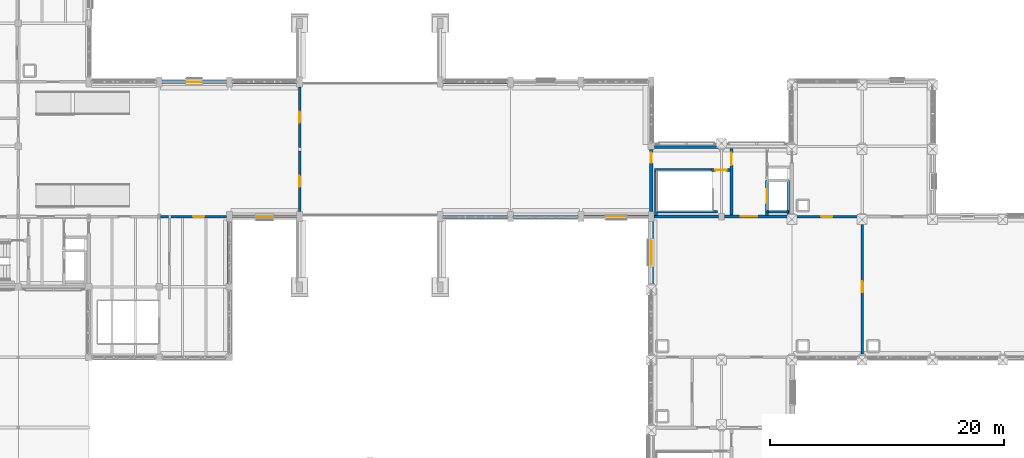
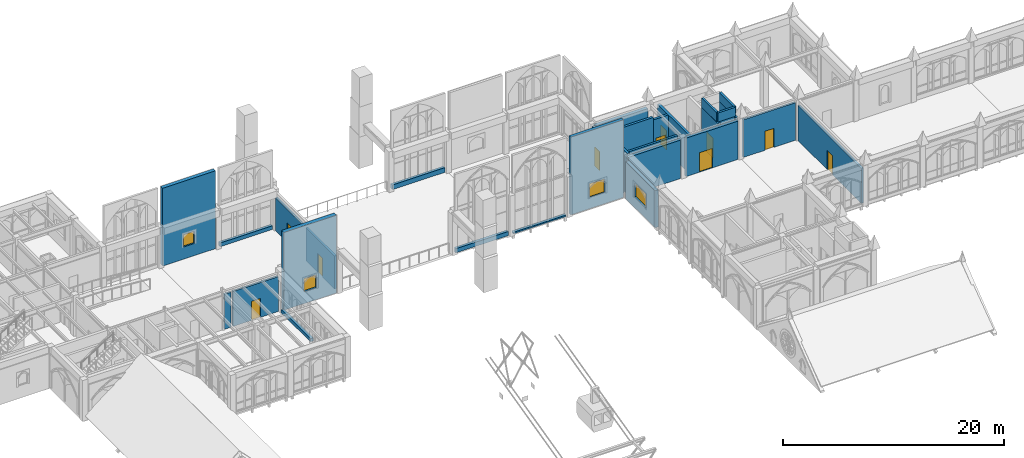
# One storey, part 79 of 108: 30 walls, 10 doors, 4 windows, 14 openings.
"""IFC4 building model written with IfcOpenShell, lengths in metres."""

from ifc_helpers import new_model, si_unit, direction, frame, frame_2d, origin, place, context, subcontext, project, spatial, rectangle, extrude, material, layer, layer_set, type_object, element, fill, save


model = new_model("IFC4")

# Units and contexts
model_context = context("Model", 3, precision=1e-05, world=origin(), true_north=direction((0.0, 1.0)))
body_context = subcontext(model_context, "Body", "Model", "MODEL_VIEW")
ifc_project = project(units=[si_unit("LENGTHUNIT", "METRE"), si_unit("AREAUNIT", "SQUARE_METRE"), si_unit("VOLUMEUNIT", "CUBIC_METRE"), si_unit("PLANEANGLEUNIT", "RADIAN"), si_unit("MASSUNIT", "GRAM", prefix="KILO")], contexts=[model_context])

# Site, building, storey
site_placement = place(None, origin())
site = spatial("IfcSite", under=ifc_project, at=site_placement, CompositionType="ELEMENT")
building_placement = place(site_placement, origin())
building = spatial("IfcBuilding", under=site, at=building_placement, Name="Cumevento Cable Car Station", CompositionType="ELEMENT")
storey_placement = place(building_placement, frame((0.0, 0.0, 13.5)))
storey = spatial("IfcBuildingStorey", under=building, at=storey_placement, Name="L04", CompositionType="ELEMENT", Elevation=13.5)

# Walls
ifc_material_1 = material(Name="Gnaisse Facoidal Stone Ashlar 85 MPa", Category="masonry")
ifc_layer_1 = layer(ifc_material_1, 0.294921875)
ifc_layer_set_1 = layer_set([ifc_layer_1], Name="Gnaisse Facoidal Stone Ashlar 85 MPa")
wall_type_1 = type_object("IfcWallType", Name="Exterior Envelope Wall EW-295 295", PredefinedType="SOLIDWALL", material=ifc_layer_set_1)
wall_1_placement = place(storey_placement, frame((82.0, 44.574951171875, 0.0), z_axis=(0.0, 0.0, 1.0), x_axis=(0.0, -1.0, 0.0)))
element("IfcWall", 1, at=wall_1_placement, inside=storey, type_object=wall_type_1, Name="Exterior Sill Curb Wall EW-295 L04 #304", PredefinedType="SOLIDWALL", context=body_context, shape_type="SweptSolid", body=[
    extrude(rectangle(XDim=5.300048828125, YDim=0.294921875, at=frame_2d((2.64990234375, 0.0))), origin(), (0.0, 0.0, 1.0), 0.360107421875),
])
wall_2_placement = place(storey_placement, frame((82.25, 56.5, 0.0), z_axis=(0.0, 0.0, 1.0), x_axis=(1.0, 0.0, 0.0)))
element("IfcWall", 2, at=wall_2_placement, inside=storey, type_object=wall_type_1, Name="Exterior Sill Curb Wall EW-295 L04 #335", PredefinedType="SOLIDWALL", context=body_context, shape_type="SweptSolid", body=[
    extrude(rectangle(XDim=5.5, YDim=0.294921875, at=frame_2d((2.75, 0.0))), origin(), (0.0, 0.0, 1.0), 0.409912109375),
])
wall_3_placement = place(storey_placement, frame((105.75, 45.0, 0.0), z_axis=(0.0, 0.0, 1.0), x_axis=(-1.0, 0.0, 0.0)))
element("IfcWall", 3, at=wall_3_placement, inside=storey, type_object=wall_type_1, Name="Exterior Sill Curb Wall EW-295 L04 #336", PredefinedType="SOLIDWALL", context=body_context, shape_type="SweptSolid", body=[
    extrude(rectangle(XDim=5.5, YDim=0.294921875, at=frame_2d((2.75, 0.0))), origin(), (0.0, 0.0, 1.0), 0.4599609375),
])
wall_4_placement = place(storey_placement, frame((100.25, 56.5, 0.0), z_axis=(0.0, 0.0, 1.0), x_axis=(1.0, 0.0, 0.0)))
element("IfcWall", 4, at=wall_4_placement, inside=storey, type_object=wall_type_1, Name="Exterior Sill Curb Wall EW-295 L04 #337", PredefinedType="SOLIDWALL", context=body_context, shape_type="SweptSolid", body=[
    extrude(rectangle(XDim=5.5, YDim=0.294921875, at=frame_2d((2.75, 0.0))), origin(), (0.0, 0.0, 1.0), 0.52001953125),
])
wall_5_placement = place(storey_placement, frame((111.75, 45.0, 0.0), z_axis=(0.0, 0.0, 1.0), x_axis=(-1.0, 0.0, 0.0)))
element("IfcWall", 5, at=wall_5_placement, inside=storey, type_object=wall_type_1, Name="Exterior Sill Curb Wall EW-295 L04 #338", PredefinedType="SOLIDWALL", context=body_context, shape_type="SweptSolid", body=[
    extrude(rectangle(XDim=5.5, YDim=0.294921875, at=frame_2d((2.75, 0.0))), origin(), (0.0, 0.0, 1.0), 0.159912109375),
])

# Wall, opening, window
wall_6_placement = place(storey_placement, frame((117.75, 45.0, 0.0), z_axis=(0.0, 0.0, 1.0), x_axis=(-1.0, 0.0, 0.0)))
wall_6 = element("IfcWall", 6, at=wall_6_placement, inside=storey, type_object=wall_type_1, Name="Exterior Wall EW-295 L04 #340", PredefinedType="SOLIDWALL", context=body_context, shape_type="SweptSolid", body=[
    extrude(rectangle(XDim=5.5, YDim=0.294921875, at=frame_2d((2.75, 0.0))), origin(), (0.0, 0.0, 1.0), 8.593017578125),
])
opening_1_placement = place(wall_6_placement, frame((1.949951171875, 0.0, 1.25)))
opening_1 = element("IfcOpeningElement", 7, at=opening_1_placement, cuts=wall_6, Name="Opening WN-L04-093", PredefinedType="OPENING", context=body_context, shape_type="SweptSolid", body=[
    extrude(rectangle(XDim=1.60009765625, YDim=1.5, at=frame_2d((0.800048828125, 0.75))), frame((0.0, 0.157470703125, 0.0), z_axis=(0.0, -1.0, 0.0), x_axis=(1.0, 0.0, 0.0)), (0.0, 0.0, 1.0), 0.31494140625),
])
ifc_material_2 = material(Name="Anodised Bronze Aluminium & Laminated Solar Glass", Category="aluminium")
window_type_1 = type_object("IfcWindowType", Name="Lancet Window WN-21 1600x1500", PartitioningType="DOUBLE_PANEL_VERTICAL", PredefinedType="WINDOW", material=ifc_material_2)
window_1_placement = place(opening_1_placement, origin())
window_1 = element("IfcWindow", 8, at=window_1_placement, inside=storey, type_object=window_type_1, Name="Lancet Window WN-L04-093 (WN-21)", OverallHeight=1.5, OverallWidth=1.60009765625, PartitioningType="SINGLE_PANEL", PredefinedType="WINDOW", context=body_context, shape_type="SweptSolid", body=[
    extrude(rectangle(XDim=1.60009765625, YDim=1.5, at=frame_2d((0.800048828125, 0.75))), frame((0.0, 0.030029296875, 0.0), z_axis=(0.0, -1.0, 0.0), x_axis=(1.0, 0.0, 0.0)), (0.0, 0.0, 1.0), 0.06005859375),
])
fill(opening_1, window_1)

# Wall
ifc_material_3 = material(Name="Concrete C40/50", Category="concrete")
ifc_layer_2 = layer(ifc_material_3, 0.35498046875)
ifc_layer_set_2 = layer_set([ifc_layer_2], Name="Concrete C40/50")
wall_type_2 = type_object("IfcWallType", Name="Exterior Envelope Wall EW-355 355", PredefinedType="SOLIDWALL", material=ifc_layer_set_2)
wall_7_placement = place(storey_placement, frame((118.27490234375, 51.0, 0.0), z_axis=(0.0, 0.0, 1.0), x_axis=(1.0, 0.0, 0.0)))
element("IfcWall", 9, at=wall_7_placement, inside=storey, type_object=wall_type_2, Name="Exterior Wall EW-355 L04 #370", PredefinedType="SOLIDWALL", context=body_context, shape_type="SweptSolid", body=[
    extrude(rectangle(XDim=5.4501953125, YDim=0.35498046875, at=frame_2d((2.72509765625, 0.0))), origin(), (0.0, 0.0, 1.0), 4.093017578125),
])

# Wall, opening, window
ifc_material_4 = material(Name="Concrete C40/50", Category="concrete")
ifc_layer_3 = layer(ifc_material_4, 0.3701171875)
ifc_layer_set_3 = layer_set([ifc_layer_3], Name="Concrete C40/50")
wall_type_3 = type_object("IfcWallType", Name="Exterior Envelope Wall EW-370 370", PredefinedType="SOLIDWALL", material=ifc_layer_set_3)
wall_8_placement = place(storey_placement, frame((118.0, 39.27490234375, 0.0), z_axis=(0.0, 0.0, 1.0), x_axis=(0.0, 1.0, 0.0)))
wall_8 = element("IfcWall", 10, at=wall_8_placement, inside=storey, type_object=wall_type_3, Name="Exterior Wall EW-370 L04 #358", PredefinedType="SOLIDWALL", context=body_context, shape_type="SweptSolid", body=[
    extrude(rectangle(XDim=5.300048828125, YDim=0.3701171875, at=frame_2d((2.64990234375, 0.0))), origin(), (0.0, 0.0, 1.0), 4.093017578125),
])
opening_2_placement = place(wall_8_placement, frame((1.625, 0.0, 1.199951171875)))
opening_2 = element("IfcOpeningElement", 11, at=opening_2_placement, cuts=wall_8, Name="Opening WN-L04-096", PredefinedType="OPENING", context=body_context, shape_type="SweptSolid", body=[
    extrude(rectangle(XDim=2.050048828125, YDim=1.550048828125, at=frame_2d((1.02490234375, 0.77490234375))), frame((0.0, 0.195068359375, 0.0), z_axis=(0.0, -1.0, 0.0), x_axis=(1.0, 0.0, 0.0)), (0.0, 0.0, 1.0), 0.39013671875),
])
ifc_material_5 = material(Name="Anodised Bronze Aluminium & Laminated Solar Glass", Category="aluminium")
window_type_2 = type_object("IfcWindowType", Name="Lancet Window WN-24 2050x1550", PartitioningType="DOUBLE_PANEL_VERTICAL", PredefinedType="WINDOW", material=ifc_material_5)
window_2_placement = place(opening_2_placement, origin())
window_2 = element("IfcWindow", 12, at=window_2_placement, inside=storey, type_object=window_type_2, Name="Lancet Window WN-L04-096 (WN-24)", OverallHeight=1.550048828125, OverallWidth=2.050048828125, PartitioningType="SINGLE_PANEL", PredefinedType="WINDOW", context=body_context, shape_type="SweptSolid", body=[
    extrude(rectangle(XDim=2.050048828125, YDim=1.550048828125, at=frame_2d((1.02490234375, 0.77490234375))), frame((0.0, 0.030029296875, 0.0), z_axis=(0.0, -1.0, 0.0), x_axis=(1.0, 0.0, 0.0)), (0.0, 0.0, 1.0), 0.06005859375),
])
fill(opening_2, window_2)

ifc_material_6 = material(Name="Gnaisse Facoidal Stone Ashlar 85 MPa", Category="masonry")
ifc_layer_4 = layer(ifc_material_6, 0.385009765625)
ifc_layer_set_4 = layer_set([ifc_layer_4], Name="Gnaisse Facoidal Stone Ashlar 85 MPa")
wall_type_4 = type_object("IfcWallType", Name="Exterior Envelope Wall EW-385 385", PredefinedType="SOLIDWALL", material=ifc_layer_set_4)
wall_9_placement = place(storey_placement, frame((76.25, 56.5, 0.0), z_axis=(0.0, 0.0, 1.0), x_axis=(1.0, 0.0, 0.0)))
wall_9 = element("IfcWall", 13, at=wall_9_placement, inside=storey, type_object=wall_type_4, Name="Exterior Wall EW-385 L04 #333", PredefinedType="SOLIDWALL", context=body_context, shape_type="SweptSolid", body=[
    extrude(rectangle(XDim=5.5, YDim=0.385009765625, at=frame_2d((2.75, 0.0))), origin(), (0.0, 0.0, 1.0), 8.593017578125),
])
opening_3_placement = place(wall_9_placement, frame((2.175048828125, 0.0, 1.35009765625)))
opening_3 = element("IfcOpeningElement", 14, at=opening_3_placement, cuts=wall_9, Name="Opening WN-L04-090", PredefinedType="OPENING", context=body_context, shape_type="SweptSolid", body=[
    extrude(rectangle(XDim=1.14990234375, YDim=1.35009765625, at=frame_2d((0.574951171875, 0.675048828125))), frame((0.0, 0.202392578125, 0.0), z_axis=(0.0, -1.0, 0.0), x_axis=(1.0, 0.0, 0.0)), (0.0, 0.0, 1.0), 0.405029296875),
])
ifc_material_7 = material(Name="Anodised Bronze Aluminium & Laminated Solar Glass", Category="aluminium")
window_type_3 = type_object("IfcWindowType", Name="Lancet Window WN-18 1150x1350", PartitioningType="SINGLE_PANEL", PredefinedType="WINDOW", material=ifc_material_7)
window_3_placement = place(opening_3_placement, origin())
window_3 = element("IfcWindow", 15, at=window_3_placement, inside=storey, type_object=window_type_3, Name="Lancet Window WN-L04-090 (WN-18)", OverallHeight=1.35009765625, OverallWidth=1.14990234375, PartitioningType="SINGLE_PANEL", PredefinedType="WINDOW", context=body_context, shape_type="SweptSolid", body=[
    extrude(rectangle(XDim=1.14990234375, YDim=1.35009765625, at=frame_2d((0.574951171875, 0.675048828125))), frame((0.0, 0.030029296875, 0.0), z_axis=(0.0, -1.0, 0.0), x_axis=(1.0, 0.0, 0.0)), (0.0, 0.0, 1.0), 0.06005859375),
])
fill(opening_3, window_3)

ifc_material_8 = material(Name="Concrete C40/50", Category="concrete")
ifc_layer_5 = layer(ifc_material_8, 0.39990234375)
ifc_layer_set_5 = layer_set([ifc_layer_5], Name="Concrete C40/50")
wall_type_5 = type_object("IfcWallType", Name="Exterior Envelope Wall EW-400 400", PredefinedType="SOLIDWALL", material=ifc_layer_set_5)
wall_10_placement = place(storey_placement, frame((87.75, 45.0, 0.0), z_axis=(0.0, 0.0, 1.0), x_axis=(-1.0, 0.0, 0.0)))
wall_10 = element("IfcWall", 16, at=wall_10_placement, inside=storey, type_object=wall_type_5, Name="Exterior Wall EW-400 L04 #334", PredefinedType="SOLIDWALL", context=body_context, shape_type="SweptSolid", body=[
    extrude(rectangle(XDim=5.5, YDim=0.39990234375, at=frame_2d((2.75, 0.0))), origin(), (0.0, 0.0, 1.0), 8.593017578125),
])
opening_4_placement = place(wall_10_placement, frame((2.10009765625, 0.0, 1.300048828125)))
opening_4 = element("IfcOpeningElement", 17, at=opening_4_placement, cuts=wall_10, Name="Opening WN-L04-091", PredefinedType="OPENING", context=body_context, shape_type="SweptSolid", body=[
    extrude(rectangle(XDim=1.300048828125, YDim=1.449951171875, at=frame_2d((0.64990234375, 0.72509765625))), frame((0.0, 0.2099609375, 0.0), z_axis=(0.0, -1.0, 0.0), x_axis=(1.0, 0.0, 0.0)), (0.0, 0.0, 1.0), 0.419921875),
])
ifc_material_9 = material(Name="Anodised Bronze Aluminium & Laminated Solar Glass", Category="aluminium")
window_type_4 = type_object("IfcWindowType", Name="Lancet Window WN-19 1300x1450", PartitioningType="SINGLE_PANEL", PredefinedType="WINDOW", material=ifc_material_9)
window_4_placement = place(opening_4_placement, origin())
window_4 = element("IfcWindow", 18, at=window_4_placement, inside=storey, type_object=window_type_4, Name="Lancet Window WN-L04-091 (WN-19)", OverallHeight=1.449951171875, OverallWidth=1.300048828125, PartitioningType="SINGLE_PANEL", PredefinedType="WINDOW", context=body_context, shape_type="SweptSolid", body=[
    extrude(rectangle(XDim=1.300048828125, YDim=1.449951171875, at=frame_2d((0.64990234375, 0.72509765625))), frame((0.0, 0.030029296875, 0.0), z_axis=(0.0, -1.0, 0.0), x_axis=(1.0, 0.0, 0.0)), (0.0, 0.0, 1.0), 0.06005859375),
])
fill(opening_4, window_4)

# Wall, opening, door
ifc_material_10 = material(Name="Concrete C40/50", Category="concrete")
ifc_layer_6 = layer(ifc_material_10, 0.219970703125)
ifc_layer_set_6 = layer_set([ifc_layer_6], Name="Concrete C40/50")
wall_type_6 = type_object("IfcWallType", Name="Interior Partition FW-220 220", PredefinedType="SOLIDWALL", material=ifc_layer_set_6)
wall_11_placement = place(storey_placement, frame((77.0, 45.0, 0.0), z_axis=(0.0, 0.0, 1.0), x_axis=(1.0, 0.0, 0.0)))
wall_11 = element("IfcWall", 19, at=wall_11_placement, inside=storey, type_object=wall_type_6, Name="Interior Wall FW-220 L04 #689", PredefinedType="SOLIDWALL", context=body_context, shape_type="SweptSolid", body=[
    extrude(rectangle(XDim=4.748046875, YDim=0.219970703125, at=frame_2d((2.3740234375, 0.0))), origin(), (0.0, 0.0, 1.0), 3.85009765625),
])
opening_5_placement = place(wall_11_placement, frame((1.904052734375, 0.0, 0.0)))
opening_5 = element("IfcOpeningElement", 20, at=opening_5_placement, cuts=wall_11, Name="Opening DR-L04-276", PredefinedType="OPENING", context=body_context, shape_type="SweptSolid", body=[
    extrude(rectangle(XDim=0.93994140625, YDim=2.10009765625, at=frame_2d((0.469970703125, 1.050048828125))), frame((0.0, 0.119873046875, 0.0), z_axis=(0.0, -1.0, 0.0), x_axis=(1.0, 0.0, 0.0)), (0.0, 0.0, 1.0), 0.239990234375),
])
ifc_material_11 = material(Name="Galvanised Painted Steel Fire Door", Category="steel")
door_type_1 = type_object("IfcDoorType", Name="Interior Door FD-08 940x2100", OperationType="NOTDEFINED", PredefinedType="DOOR", material=ifc_material_11)
door_1_placement = place(opening_5_placement, origin())
door_1 = element("IfcDoor", 21, at=door_1_placement, inside=storey, type_object=door_type_1, Name="Interior Door DR-L04-276 (FD-08)", OperationType="SINGLE_SWING_RIGHT", OverallHeight=2.10009765625, OverallWidth=0.93994140625, PredefinedType="DOOR", context=body_context, shape_type="SweptSolid", body=[
    extrude(rectangle(XDim=0.93994140625, YDim=2.10009765625, at=frame_2d((0.469970703125, 1.050048828125))), frame((0.0, 0.02490234375, 0.0), z_axis=(0.0, -1.0, 0.0), x_axis=(1.0, 0.0, 0.0)), (0.0, 0.0, 1.0), 0.050048828125),
])
fill(opening_5, door_1)

# Wall
wall_12_placement = place(storey_placement, frame((76.130615234375, 45.0, 0.0), z_axis=(0.0, 0.0, 1.0), x_axis=(1.0, 0.0, 0.0)))
element("IfcWall", 22, at=wall_12_placement, inside=storey, type_object=wall_type_6, Name="Interior Wall FW-220 L04 #691", PredefinedType="SOLIDWALL", context=body_context, shape_type="SweptSolid", body=[
    extrude(rectangle(XDim=0.66943359375, YDim=0.219970703125, at=frame_2d((0.334716796875, 0.0))), origin(), (0.0, 0.0, 1.0), 3.85009765625),
])

# Wall, opening, door
wall_13_placement = place(storey_placement, frame((88.0, 45.427001953125, 0.0), z_axis=(0.0, 0.0, 1.0), x_axis=(0.0, 1.0, 0.0)))
wall_13 = element("IfcWall", 23, at=wall_13_placement, inside=storey, type_object=wall_type_6, Name="Interior Wall FW-220 L04 #711", PredefinedType="SOLIDWALL", context=body_context, shape_type="SweptSolid", body=[
    extrude(rectangle(XDim=5.173095703125, YDim=0.219970703125, at=frame_2d((2.58642578125, 0.0))), origin(), (0.0, 0.0, 1.0), 3.633056640625),
])
opening_6_placement = place(wall_13_placement, frame((2.116455078125, 0.0, 0.0)))
opening_6 = element("IfcOpeningElement", 24, at=opening_6_placement, cuts=wall_13, Name="Opening DR-L04-290", PredefinedType="OPENING", context=body_context, shape_type="SweptSolid", body=[
    extrude(rectangle(XDim=0.93994140625, YDim=2.10009765625, at=frame_2d((0.469970703125, 1.050048828125))), frame((0.0, 0.119873046875, 0.0), z_axis=(0.0, -1.0, 0.0), x_axis=(1.0, 0.0, 0.0)), (0.0, 0.0, 1.0), 0.239990234375),
])
door_2_placement = place(opening_6_placement, origin())
door_2 = element("IfcDoor", 25, at=door_2_placement, inside=storey, type_object=door_type_1, Name="Interior Door DR-L04-290 (FD-08)", OperationType="SINGLE_SWING_RIGHT", OverallHeight=2.10009765625, OverallWidth=0.93994140625, PredefinedType="DOOR", context=body_context, shape_type="SweptSolid", body=[
    extrude(rectangle(XDim=0.93994140625, YDim=2.10009765625, at=frame_2d((0.469970703125, 1.050048828125))), frame((0.0, 0.02490234375, 0.0), z_axis=(0.0, -1.0, 0.0), x_axis=(1.0, 0.0, 0.0)), (0.0, 0.0, 1.0), 0.050048828125),
])
fill(opening_6, door_2)

wall_14_placement = place(storey_placement, frame((88.0, 50.89990234375, 0.0), z_axis=(0.0, 0.0, 1.0), x_axis=(0.0, 1.0, 0.0)))
wall_14 = element("IfcWall", 26, at=wall_14_placement, inside=storey, type_object=wall_type_6, Name="Interior Wall FW-220 L04 #712", PredefinedType="SOLIDWALL", context=body_context, shape_type="SweptSolid", body=[
    extrude(rectangle(XDim=5.173095703125, YDim=0.219970703125, at=frame_2d((2.58642578125, 0.0))), origin(), (0.0, 0.0, 1.0), 3.633056640625),
])
opening_7_placement = place(wall_14_placement, frame((2.116455078125, 0.0, 0.0)))
opening_7 = element("IfcOpeningElement", 27, at=opening_7_placement, cuts=wall_14, Name="Opening DR-L04-291", PredefinedType="OPENING", context=body_context, shape_type="SweptSolid", body=[
    extrude(rectangle(XDim=0.93994140625, YDim=2.10009765625, at=frame_2d((0.469970703125, 1.050048828125))), frame((0.0, 0.119873046875, 0.0), z_axis=(0.0, -1.0, 0.0), x_axis=(1.0, 0.0, 0.0)), (0.0, 0.0, 1.0), 0.239990234375),
])
door_3_placement = place(opening_7_placement, origin())
door_3 = element("IfcDoor", 28, at=door_3_placement, inside=storey, type_object=door_type_1, Name="Interior Door DR-L04-291 (FD-08)", OperationType="SINGLE_SWING_LEFT", OverallHeight=2.10009765625, OverallWidth=0.93994140625, PredefinedType="DOOR", context=body_context, shape_type="SweptSolid", body=[
    extrude(rectangle(XDim=0.93994140625, YDim=2.10009765625, at=frame_2d((0.469970703125, 1.050048828125))), frame((0.0, 0.02490234375, 0.0), z_axis=(0.0, -1.0, 0.0), x_axis=(1.0, 0.0, 0.0)), (0.0, 0.0, 1.0), 0.050048828125),
])
fill(opening_7, door_3)

wall_15_placement = place(storey_placement, frame((136.0, 33.277099609375, 0.0), z_axis=(0.0, 0.0, 1.0), x_axis=(0.0, 1.0, 0.0)))
wall_15 = element("IfcWall", 29, at=wall_15_placement, inside=storey, type_object=wall_type_6, Name="Interior Wall FW-220 L04 #720", PredefinedType="SOLIDWALL", context=body_context, shape_type="SweptSolid", body=[
    extrude(rectangle(XDim=11.44580078125, YDim=0.219970703125, at=frame_2d((5.722900390625, 0.0))), origin(), (0.0, 0.0, 1.0), 3.883056640625),
])
opening_8_placement = place(wall_15_placement, frame((5.2529296875, 0.0, 0.0)))
opening_8 = element("IfcOpeningElement", 30, at=opening_8_placement, cuts=wall_15, Name="Opening DR-L04-297", PredefinedType="OPENING", context=body_context, shape_type="SweptSolid", body=[
    extrude(rectangle(XDim=0.93994140625, YDim=2.10009765625, at=frame_2d((0.469970703125, 1.050048828125))), frame((0.0, 0.119873046875, 0.0), z_axis=(0.0, -1.0, 0.0), x_axis=(1.0, 0.0, 0.0)), (0.0, 0.0, 1.0), 0.239990234375),
])
door_4_placement = place(opening_8_placement, origin())
door_4 = element("IfcDoor", 31, at=door_4_placement, inside=storey, type_object=door_type_1, Name="Interior Door DR-L04-297 (FD-08)", OperationType="SINGLE_SWING_RIGHT", OverallHeight=2.10009765625, OverallWidth=0.93994140625, PredefinedType="DOOR", context=body_context, shape_type="SweptSolid", body=[
    extrude(rectangle(XDim=0.93994140625, YDim=2.10009765625, at=frame_2d((0.469970703125, 1.050048828125))), frame((0.0, 0.02490234375, 0.0), z_axis=(0.0, -1.0, 0.0), x_axis=(1.0, 0.0, 0.0)), (0.0, 0.0, 1.0), 0.050048828125),
])
fill(opening_8, door_4)

wall_16_placement = place(storey_placement, frame((130.277099609375, 45.0, 0.0), z_axis=(0.0, 0.0, 1.0), x_axis=(1.0, 0.0, 0.0)))
wall_16 = element("IfcWall", 32, at=wall_16_placement, inside=storey, type_object=wall_type_6, Name="Interior Wall FW-220 L04 #721", PredefinedType="SOLIDWALL", context=body_context, shape_type="SweptSolid", body=[
    extrude(rectangle(XDim=5.44580078125, YDim=0.219970703125, at=frame_2d((2.722900390625, 0.0))), origin(), (0.0, 0.0, 1.0), 4.14599609375),
])
opening_9_placement = place(wall_16_placement, frame((2.2529296875, 0.0, 0.0)))
opening_9 = element("IfcOpeningElement", 33, at=opening_9_placement, cuts=wall_16, Name="Opening DR-L04-298", PredefinedType="OPENING", context=body_context, shape_type="SweptSolid", body=[
    extrude(rectangle(XDim=0.93994140625, YDim=2.10009765625, at=frame_2d((0.469970703125, 1.050048828125))), frame((0.0, 0.119873046875, 0.0), z_axis=(0.0, -1.0, 0.0), x_axis=(1.0, 0.0, 0.0)), (0.0, 0.0, 1.0), 0.239990234375),
])
door_5_placement = place(opening_9_placement, origin())
door_5 = element("IfcDoor", 34, at=door_5_placement, inside=storey, type_object=door_type_1, Name="Interior Door DR-L04-298 (FD-08)", OperationType="SINGLE_SWING_LEFT", OverallHeight=2.10009765625, OverallWidth=0.93994140625, PredefinedType="DOOR", context=body_context, shape_type="SweptSolid", body=[
    extrude(rectangle(XDim=0.93994140625, YDim=2.10009765625, at=frame_2d((0.469970703125, 1.050048828125))), frame((0.0, 0.02490234375, 0.0), z_axis=(0.0, -1.0, 0.0), x_axis=(1.0, 0.0, 0.0)), (0.0, 0.0, 1.0), 0.050048828125),
])
fill(opening_9, door_5)

# Walls
ifc_material_12 = material(Name="Concrete C40/50", Category="concrete")
ifc_layer_7 = layer(ifc_material_12, 0.22998046875)
ifc_layer_set_7 = layer_set([ifc_layer_7], Name="Concrete C40/50")
wall_type_7 = type_object("IfcWallType", Name="Interior Shear Wall CW-230 230", PredefinedType="SHEAR", material=ifc_layer_set_7)
wall_17_placement = place(storey_placement, frame((127.8798828125, 45.419921875, 4.5), z_axis=(0.0, 0.0, 1.0), x_axis=(1.0, 0.0, 0.0)))
element("IfcWall", 35, at=wall_17_placement, inside=storey, type_object=wall_type_7, Name="Interior Wall CW-230 L04 #466", PredefinedType="SHEAR", context=body_context, shape_type="SweptSolid", body=[
    extrude(rectangle(XDim=1.820068359375, YDim=0.22998046875, at=frame_2d((0.91015625, 0.0))), origin(), (0.0, 0.0, 1.0), 1.0),
])
for number, where, z_axis, x_axis, name in (
    (36, (129.699951171875, 45.419921875, 4.5), (0.0, 0.0, 1.0), (0.0, 1.0, 0.0), "Interior Wall CW-230 L04 #467"),
    (37, (127.8798828125, 48.080078125, 4.5), (0.0, 0.0, 1.0), (0.0, -1.0, 0.0), "Interior Wall CW-230 L04 #469"),
):
    element("IfcWall", number, at=place(storey_placement, frame(where, z_axis=z_axis, x_axis=x_axis)), inside=storey, type_object=wall_type_7, Name=name, PredefinedType="SHEAR", context=body_context, shape_type="SweptSolid", body=[
        extrude(rectangle(XDim=2.66015625, YDim=0.22998046875, at=frame_2d((1.330078125, 0.0))), origin(), (0.0, 0.0, 1.0), 1.0),
    ])
wall_18_placement = place(storey_placement, frame((118.405029296875, 45.114990234375, 0.0), z_axis=(0.0, 0.0, 1.0), x_axis=(0.0, 1.0, 0.0)))
element("IfcWall", 38, at=wall_18_placement, inside=storey, type_object=wall_type_7, Name="Interior Wall CW-230 L04 #513", PredefinedType="SHEAR", context=body_context, shape_type="SweptSolid", body=[
    extrude(rectangle(XDim=3.735107421875, YDim=0.22998046875, at=frame_2d((1.86767578125, 0.0))), origin(), (0.0, 0.0, 1.0), 4.5),
])
wall_19_placement = place(storey_placement, frame((118.52001953125, 45.405029296875, 0.0), z_axis=(0.0, 0.0, 1.0), x_axis=(1.0, 0.0, 0.0)))
element("IfcWall", 39, at=wall_19_placement, inside=storey, type_object=wall_type_7, Name="Interior Wall CW-230 L04 #514", PredefinedType="SHEAR", context=body_context, shape_type="SweptSolid", body=[
    extrude(rectangle(XDim=5.1298828125, YDim=0.22998046875, at=frame_2d((2.56494140625, 0.0))), origin(), (0.0, 0.0, 1.0), 4.5),
])
wall_20_placement = place(storey_placement, frame((128.0048828125, 45.419921875, 0.0), z_axis=(0.0, 0.0, 1.0), x_axis=(1.0, 0.0, 0.0)))
element("IfcWall", 40, at=wall_20_placement, inside=storey, type_object=wall_type_7, Name="Interior Wall CW-230 L04 #519", PredefinedType="SHEAR", context=body_context, shape_type="SweptSolid", body=[
    extrude(rectangle(XDim=1.580078125, YDim=0.22998046875, at=frame_2d((0.7900390625, 0.0))), origin(), (0.0, 0.0, 1.0), 4.5),
])
wall_21_placement = place(storey_placement, frame((129.699951171875, 45.114990234375, 0.0), z_axis=(0.0, 0.0, 1.0), x_axis=(0.0, 1.0, 0.0)))
element("IfcWall", 41, at=wall_21_placement, inside=storey, type_object=wall_type_7, Name="Interior Wall CW-230 L04 #520", PredefinedType="SHEAR", context=body_context, shape_type="SweptSolid", body=[
    extrude(rectangle(XDim=2.965087890625, YDim=0.22998046875, at=frame_2d((1.482421875, 0.0))), origin(), (0.0, 0.0, 1.0), 4.5),
])
ifc_material_13 = material(Name="Concrete C40/50", Category="concrete")
ifc_layer_8 = layer(ifc_material_13, 0.25)
ifc_layer_set_8 = layer_set([ifc_layer_8], Name="Concrete C40/50")
wall_type_8 = type_object("IfcWallType", Name="Interior Shear Wall CW-250 250", PredefinedType="SHEAR", material=ifc_layer_set_8)
wall_22_placement = place(storey_placement, frame((118.2900390625, 48.97509765625, 0.0), z_axis=(0.0, 0.0, 1.0), x_axis=(1.0, 0.0, 0.0)))
element("IfcWall", 42, at=wall_22_placement, inside=storey, type_object=wall_type_8, Name="Interior Wall CW-250 L04 #515", PredefinedType="SHEAR", context=body_context, shape_type="SweptSolid", body=[
    extrude(rectangle(XDim=4.869873046875, YDim=0.25, at=frame_2d((2.43505859375, 0.0))), origin(), (0.0, 0.0, 1.0), 4.5),
])

# Wall, opening, door
wall_23_placement = place(storey_placement, frame((123.159912109375, 48.97509765625, 0.0), z_axis=(0.0, 0.0, 1.0), x_axis=(1.0, 0.0, 0.0)))
wall_23 = element("IfcWall", 43, at=wall_23_placement, inside=storey, type_object=wall_type_8, Name="Interior Wall CW-250 L04 #516", PredefinedType="SHEAR", context=body_context, shape_type="SweptSolid", body=[
    extrude(rectangle(XDim=1.580078125, YDim=0.25, at=frame_2d((0.7900390625, 0.0))), origin(), (0.0, 0.0, 1.0), 4.239990234375),
])
opening_10_placement = place(wall_23_placement, frame((0.31005859375, 0.0, 0.0)))
opening_10 = element("IfcOpeningElement", 44, at=opening_10_placement, cuts=wall_23, Name="Opening DR-L04-175", PredefinedType="OPENING", context=body_context, shape_type="SweptSolid", body=[
    extrude(rectangle(XDim=0.9599609375, YDim=2.1201171875, at=frame_2d((0.47998046875, 1.06005859375))), frame((0.0, 0.135009765625, 0.0), z_axis=(0.0, -1.0, 0.0), x_axis=(1.0, 0.0, 0.0)), (0.0, 0.0, 1.0), 0.27001953125),
])
ifc_material_14 = material(Name="Galvanised Painted Steel Fire Door", Category="steel")
door_type_2 = type_object("IfcDoorType", Name="Interior Door FD-01 960x2120", OperationType="NOTDEFINED", PredefinedType="DOOR", material=ifc_material_14)
door_6_placement = place(opening_10_placement, origin())
door_6 = element("IfcDoor", 45, at=door_6_placement, inside=storey, type_object=door_type_2, Name="Stair ST-06 Enclosure Door L04", OperationType="SINGLE_SWING_LEFT", OverallHeight=2.1201171875, OverallWidth=0.9599609375, PredefinedType="DOOR", context=body_context, shape_type="SweptSolid", body=[
    extrude(rectangle(XDim=0.9599609375, YDim=2.1201171875, at=frame_2d((0.47998046875, 1.06005859375))), frame((0.0, 0.02490234375, 0.0), z_axis=(0.0, -1.0, 0.0), x_axis=(1.0, 0.0, 0.0)), (0.0, 0.0, 1.0), 0.050048828125),
])
fill(opening_10, door_6)

wall_24_placement = place(storey_placement, frame((124.864990234375, 45.137451171875, 0.0), z_axis=(0.0, 0.0, 1.0), x_axis=(0.0, 1.0, 0.0)))
wall_24 = element("IfcWall", 46, at=wall_24_placement, inside=storey, type_object=wall_type_8, Name="Interior Wall CW-250 L04 #517", PredefinedType="SHEAR", context=body_context, shape_type="SweptSolid", body=[
    extrude(rectangle(XDim=5.6875, YDim=0.25, at=frame_2d((2.84375, 0.0))), origin(), (0.0, 0.0, 1.0), 4.239990234375),
])
opening_11_placement = place(wall_24_placement, frame((4.262451171875, 0.0, 0.0)))
opening_11 = element("IfcOpeningElement", 47, at=opening_11_placement, cuts=wall_24, Name="Opening DR-L04-176", PredefinedType="OPENING", context=body_context, shape_type="SweptSolid", body=[
    extrude(rectangle(XDim=1.0400390625, YDim=2.139892578125, at=frame_2d((0.52001953125, 1.06982421875))), frame((0.0, 0.135009765625, 0.0), z_axis=(0.0, -1.0, 0.0), x_axis=(1.0, 0.0, 0.0)), (0.0, 0.0, 1.0), 0.27001953125),
])
ifc_material_15 = material(Name="Galvanised Painted Steel Fire Door", Category="steel")
door_type_3 = type_object("IfcDoorType", Name="Interior Door FD-02 1040x2140", OperationType="NOTDEFINED", PredefinedType="DOOR", material=ifc_material_15)
door_7_placement = place(opening_11_placement, origin())
door_7 = element("IfcDoor", 48, at=door_7_placement, inside=storey, type_object=door_type_3, Name="Lobby Vestibule Door CORE6 L04", OperationType="SINGLE_SWING_RIGHT", OverallHeight=2.139892578125, OverallWidth=1.0400390625, PredefinedType="DOOR", context=body_context, shape_type="SweptSolid", body=[
    extrude(rectangle(XDim=1.0400390625, YDim=2.139892578125, at=frame_2d((0.52001953125, 1.06982421875))), frame((0.0, 0.02490234375, 0.0), z_axis=(0.0, -1.0, 0.0), x_axis=(1.0, 0.0, 0.0)), (0.0, 0.0, 1.0), 0.050048828125),
])
fill(opening_11, door_7)

wall_25_placement = place(storey_placement, frame((127.8798828125, 45.114990234375, 0.0), z_axis=(0.0, 0.0, 1.0), x_axis=(0.0, 1.0, 0.0)))
wall_25 = element("IfcWall", 49, at=wall_25_placement, inside=storey, type_object=wall_type_8, Name="Interior Wall CW-250 L04 #518", PredefinedType="SHEAR", context=body_context, shape_type="SweptSolid", body=[
    extrude(rectangle(XDim=2.965087890625, YDim=0.25, at=frame_2d((1.482421875, 0.0))), origin(), (0.0, 0.0, 1.0), 4.5),
])
opening_12_placement = place(wall_25_placement, frame((1.054931640625, 0.0, 0.0)))
opening_12 = element("IfcOpeningElement", 50, at=opening_12_placement, cuts=wall_25, Name="Opening LD-LF06-L04", PredefinedType="OPENING", context=body_context, shape_type="SweptSolid", body=[
    extrude(rectangle(XDim=1.159912109375, YDim=2.179931640625, at=frame_2d((0.580078125, 1.08984375))), frame((0.0, 0.135009765625, 0.0), z_axis=(0.0, -1.0, 0.0), x_axis=(1.0, 0.0, 0.0)), (0.0, 0.0, 1.0), 0.27001953125),
])
ifc_material_16 = material(Name="Brushed Stainless Steel Lift Door", Category="steel")
door_type_4 = type_object("IfcDoorType", Name="Interior Door LD-02 1160x2180", OperationType="NOTDEFINED", PredefinedType="DOOR", material=ifc_material_16)
door_8_placement = place(opening_12_placement, origin())
door_8 = element("IfcDoor", 51, at=door_8_placement, inside=storey, type_object=door_type_4, Name="Lift Landing Door LD-LF06-L04", OperationType="DOUBLE_DOOR_SLIDING", OverallHeight=2.179931640625, OverallWidth=1.159912109375, PredefinedType="DOOR", context=body_context, shape_type="SweptSolid", body=[
    extrude(rectangle(XDim=1.159912109375, YDim=2.179931640625, at=frame_2d((0.580078125, 1.08984375))), frame((0.0, 0.02490234375, 0.0), z_axis=(0.0, -1.0, 0.0), x_axis=(1.0, 0.0, 0.0)), (0.0, 0.0, 1.0), 0.050048828125),
])
fill(opening_12, door_8)

# Wall
ifc_material_17 = material(Name="Concrete C40/50", Category="concrete")
ifc_layer_9 = layer(ifc_material_17, 0.27490234375)
ifc_layer_set_9 = layer_set([ifc_layer_9], Name="Concrete C40/50")
wall_type_9 = type_object("IfcWallType", Name="Interior Shear Wall CW-275 275", PredefinedType="SHEAR", material=ifc_layer_set_9)
wall_26_placement = place(storey_placement, frame((118.25, 45.0, 0.0), z_axis=(0.0, 0.0, 1.0), x_axis=(1.0, 0.0, 0.0)))
element("IfcWall", 52, at=wall_26_placement, inside=storey, type_object=wall_type_9, Name="Interior Wall CW-275 L04 #509", PredefinedType="SHEAR", context=body_context, shape_type="SweptSolid", body=[
    extrude(rectangle(XDim=5.47509765625, YDim=0.27490234375, at=frame_2d((2.737548828125, 0.0))), origin(), (0.0, 0.0, 1.0), 4.239990234375),
])

# Wall, opening, door
wall_27_placement = place(storey_placement, frame((124.27490234375, 45.0, 0.0), z_axis=(0.0, 0.0, 1.0), x_axis=(1.0, 0.0, 0.0)))
wall_27 = element("IfcWall", 53, at=wall_27_placement, inside=storey, type_object=wall_type_9, Name="Interior Wall CW-275 L04 #510", PredefinedType="SHEAR", context=body_context, shape_type="SweptSolid", body=[
    extrude(rectangle(XDim=5.4501953125, YDim=0.27490234375, at=frame_2d((2.72509765625, 0.0))), origin(), (0.0, 0.0, 1.0), 4.239990234375),
])
opening_13_placement = place(wall_27_placement, frame((1.385009765625, 0.0, 0.0)))
opening_13 = element("IfcOpeningElement", 54, at=opening_13_placement, cuts=wall_27, Name="Opening DR-L04-172", PredefinedType="OPENING", context=body_context, shape_type="SweptSolid", body=[
    extrude(rectangle(XDim=1.3798828125, YDim=2.159912109375, at=frame_2d((0.68994140625, 1.080078125))), frame((0.0, 0.1474609375, 0.0), z_axis=(0.0, -1.0, 0.0), x_axis=(1.0, 0.0, 0.0)), (0.0, 0.0, 1.0), 0.294921875),
])
ifc_material_18 = material(Name="Galvanised Painted Steel Fire Door", Category="steel")
door_type_5 = type_object("IfcDoorType", Name="Interior Door FD-04 1380x2160", OperationType="NOTDEFINED", PredefinedType="DOOR", material=ifc_material_18)
door_9_placement = place(opening_13_placement, origin())
door_9 = element("IfcDoor", 55, at=door_9_placement, inside=storey, type_object=door_type_5, Name="Core CORE6 S_lobby Fire Door L04", OperationType="DOUBLE_DOOR_SINGLE_SWING", OverallHeight=2.159912109375, OverallWidth=1.3798828125, PredefinedType="DOOR", context=body_context, shape_type="SweptSolid", body=[
    extrude(rectangle(XDim=1.3798828125, YDim=2.159912109375, at=frame_2d((0.68994140625, 1.080078125))), frame((0.0, 0.02490234375, 0.0), z_axis=(0.0, -1.0, 0.0), x_axis=(1.0, 0.0, 0.0)), (0.0, 0.0, 1.0), 0.050048828125),
])
fill(opening_13, door_9)

wall_28_placement = place(storey_placement, frame((118.0, 45.425048828125, 0.0), z_axis=(0.0, 0.0, 1.0), x_axis=(0.0, 1.0, 0.0)))
wall_28 = element("IfcWall", 56, at=wall_28_placement, inside=storey, type_object=wall_type_9, Name="Interior Wall CW-275 L04 #511", PredefinedType="SHEAR", context=body_context, shape_type="SweptSolid", body=[
    extrude(rectangle(XDim=5.300048828125, YDim=0.27490234375, at=frame_2d((2.64990234375, 0.0))), origin(), (0.0, 0.0, 1.0), 4.239990234375),
])
opening_14_placement = place(wall_28_placement, frame((4.155029296875, 0.0, 0.0)))
opening_14 = element("IfcOpeningElement", 57, at=opening_14_placement, cuts=wall_28, Name="Opening DR-L04-173", PredefinedType="OPENING", context=body_context, shape_type="SweptSolid", body=[
    extrude(rectangle(XDim=0.8798828125, YDim=2.080078125, at=frame_2d((0.43994140625, 1.0400390625))), frame((0.0, 0.1474609375, 0.0), z_axis=(0.0, -1.0, 0.0), x_axis=(1.0, 0.0, 0.0)), (0.0, 0.0, 1.0), 0.294921875),
])
ifc_material_19 = material(Name="Galvanised Painted Steel Fire Door", Category="steel")
door_type_6 = type_object("IfcDoorType", Name="Interior Door FD-07 880x2080", OperationType="NOTDEFINED", PredefinedType="DOOR", material=ifc_material_19)
door_10_placement = place(opening_14_placement, origin())
door_10 = element("IfcDoor", 58, at=door_10_placement, inside=storey, type_object=door_type_6, Name="Core CORE6 W_vest Fire Door L04", OperationType="SINGLE_SWING_LEFT", OverallHeight=2.080078125, OverallWidth=0.8798828125, PredefinedType="DOOR", context=body_context, shape_type="SweptSolid", body=[
    extrude(rectangle(XDim=0.8798828125, YDim=2.080078125, at=frame_2d((0.43994140625, 1.0400390625))), frame((0.0, 0.02490234375, 0.0), z_axis=(0.0, -1.0, 0.0), x_axis=(1.0, 0.0, 0.0)), (0.0, 0.0, 1.0), 0.050048828125),
])
fill(opening_14, door_10)

save(model, "model.ifc")
